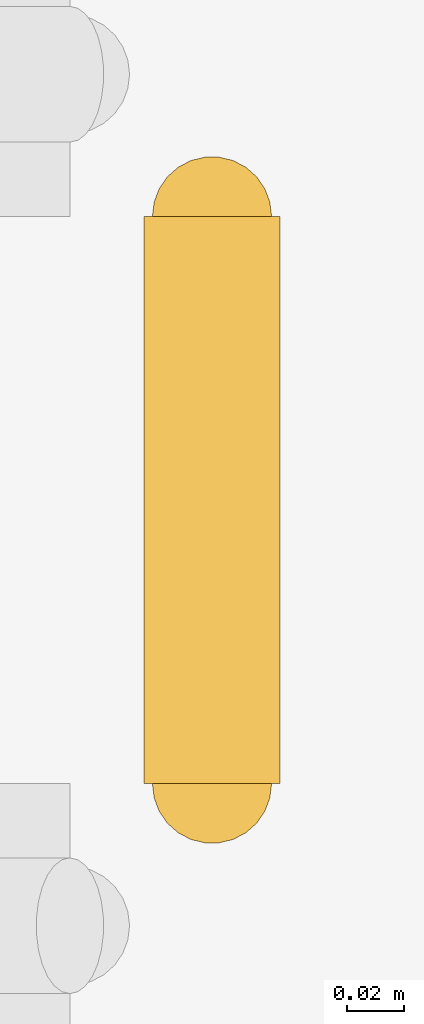
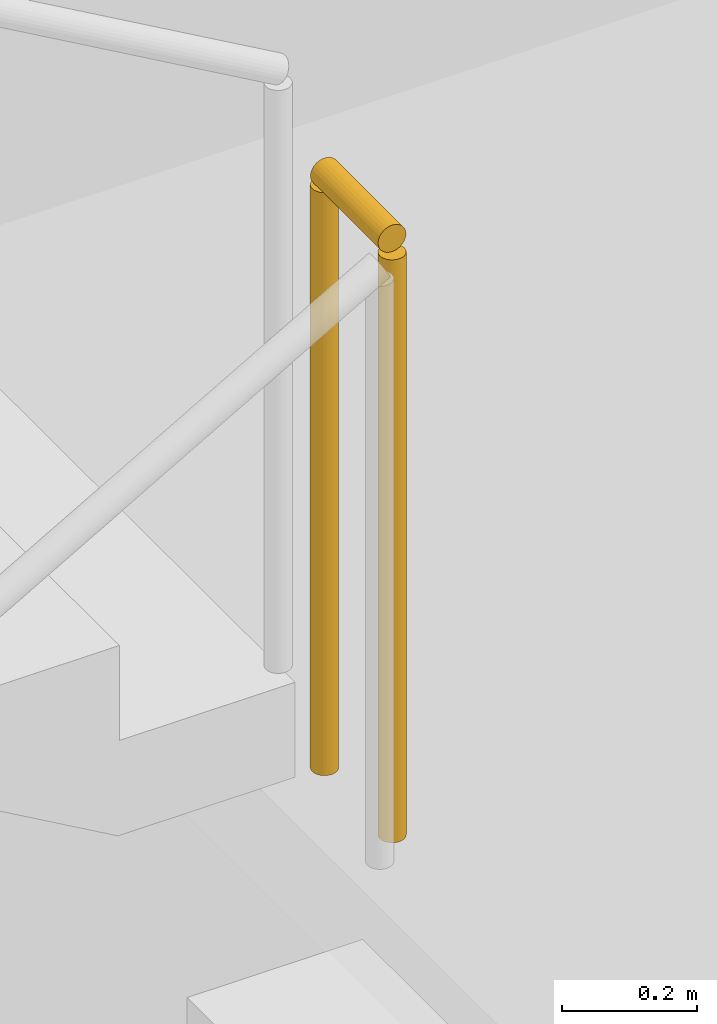
# One storey, part 68 of 72: 1 railing.
"""IFC4 building model written with IfcOpenShell, lengths in metres."""

import ifcopenshell
import ifcopenshell.guid

model = None  # the IFC model being written
_history = None  # IfcOwnerHistory: only IFC2X3 demands one
_inside = {}  # id of a spatial element -> (the spatial element, [elements in it])
_under = {}  # id of a project, library or spatial element -> (it, [spatial elements below it])
_declared = {}  # id of a project -> (the project, [libraries it declares])
_typed = {}  # id of a type object -> (the type object, [elements of that type])
_made_of = {}  # id of a material, layer set ... -> (it, [elements and type objects made of it])


def new_model(schema):
    """Start an empty IFC model of exactly this schema.

    Asked for "IFC4X3", IfcOpenShell would pick the latest addendum, in which some entities
    have other attributes; the version numbers below select the first issue.
    IFC2X3 requires an IfcOwnerHistory on every rooted entity: one is made here for all.
    """
    global model, _history
    if schema == "IFC4X3":
        model = ifcopenshell.file(schema_version=(4, 3, 0, 0))
    else:
        model = ifcopenshell.file(schema=schema)
    _inside.clear()
    _under.clear()
    _declared.clear()
    _typed.clear()
    _made_of.clear()
    _history = None
    if model.schema == "IFC2X3":
        org = make("IfcOrganization", Name="unknown")
        user = make(
            "IfcPersonAndOrganization",
            ThePerson=make("IfcPerson", FamilyName="unknown"),
            TheOrganization=org,
        )
        app = make(
            "IfcApplication",
            ApplicationDeveloper=org,
            Version="unknown",
            ApplicationFullName="unknown",
            ApplicationIdentifier="unknown",
        )
        _history = make(
            "IfcOwnerHistory",
            OwningUser=user,
            OwningApplication=app,
            ChangeAction="ADDED",
            CreationDate=0,
        )
    return model


def make(cls, **values):
    """One entity of the class cls with the attributes given. An attribute that is None is left unset."""
    return model.create_entity(
        cls, **{name: value for name, value in values.items() if value is not None}
    )


def rooted(cls, **values):
    """An entity with a GlobalId (a new one), such as an element, a storey or a relation."""
    return make(cls, GlobalId=ifcopenshell.guid.new(), OwnerHistory=_history, **values)


def si_unit(unit_type, name, prefix=None):
    """IfcSIUnit, for example si_unit("LENGTHUNIT", "METRE", prefix="MILLI")."""
    return make("IfcSIUnit", UnitType=unit_type, Prefix=prefix, Name=name)


def assignment(units):
    """IfcUnitAssignment: the units of a project."""
    return None if units is None else make("IfcUnitAssignment", Units=units)


def point(xyz):
    """IfcCartesianPoint."""
    return None if xyz is None else make("IfcCartesianPoint", Coordinates=xyz)


def direction(xyz):
    """IfcDirection."""
    return None if xyz is None else make("IfcDirection", DirectionRatios=xyz)


def frame(location, z_axis=None, x_axis=None):
    """IfcAxis2Placement3D, a coordinate frame: its origin and axes. An axis left out is left unset."""
    return make(
        "IfcAxis2Placement3D",
        Location=point(location),
        Axis=direction(z_axis),
        RefDirection=direction(x_axis),
    )


def frame_2d(location, x_axis=None):
    """IfcAxis2Placement2D, a coordinate frame in the plane: its origin and x axis."""
    return make(
        "IfcAxis2Placement2D", Location=point(location), RefDirection=direction(x_axis)
    )


def origin():
    """The frame at (0, 0, 0) with its axes left unset."""
    return frame((0.0, 0.0, 0.0))


def origin_2d():
    """The frame at (0, 0) in the plane with its x axis left unset."""
    return frame_2d((0.0, 0.0))


def place(relative_to, where):
    """IfcLocalPlacement: puts the frame where relative to a parent placement (None: the world)."""
    return make(
        "IfcLocalPlacement", PlacementRelTo=relative_to, RelativePlacement=where
    )


def context(
    kind, dimensions, precision=None, world=None, true_north=None, identifier=None
):
    """IfcGeometricRepresentationContext, for example the 3D "Model" context."""
    return make(
        "IfcGeometricRepresentationContext",
        ContextIdentifier=identifier,
        ContextType=kind,
        CoordinateSpaceDimension=dimensions,
        Precision=precision,
        WorldCoordinateSystem=world,
        TrueNorth=true_north,
    )


def subcontext(parent, identifier, kind, view, scale=None):
    """IfcGeometricRepresentationSubContext, for example "Body" below "Model"."""
    return make(
        "IfcGeometricRepresentationSubContext",
        ContextIdentifier=identifier,
        ContextType=kind,
        ParentContext=parent,
        TargetScale=scale,
        TargetView=view,
    )


def project(units=None, contexts=None):
    """IfcProject with its units and contexts."""
    return rooted(
        "IfcProject",
        Name="project",
        RepresentationContexts=contexts,
        UnitsInContext=assignment(units),
    )


def spatial(cls, under=None, at=None, **own):
    """A site, building, storey or space (cls), placed at a placement, below another one or the project."""
    s = rooted(cls, ObjectPlacement=at, **own)
    if under is not None:
        _under.setdefault(under.id(), (under, []))[1].append(s)
    return s


def profile(cls, at=None, kind="AREA", **sizes):
    """A parametric profile (cls). Its sizes go by their IFC names, for example OverallWidth=200.0."""
    return make(cls, ProfileType=kind, Position=at, **sizes)


def circle(**sizes):
    """IfcCircleProfileDef."""
    return profile("IfcCircleProfileDef", **sizes)


def extrude(swept, where, along, depth):
    """IfcExtrudedAreaSolid: the profile swept, set in the frame where, extruded along a direction by depth."""
    return make(
        "IfcExtrudedAreaSolid",
        SweptArea=swept,
        Position=where,
        ExtrudedDirection=direction(along),
        Depth=depth,
    )


def shape(context_of_items, identifier, shape_type, items):
    """IfcShapeRepresentation: the items that make up one representation, for example the "Body"."""
    return make(
        "IfcShapeRepresentation",
        ContextOfItems=context_of_items,
        RepresentationIdentifier=identifier,
        RepresentationType=shape_type,
        Items=items,
    )


def material(Name=None, Category=None):
    """IfcMaterial."""
    return make("IfcMaterial", Name=Name, Category=Category)


def made_of(thing, what):
    """Note that an element or type object is made of a material, layer set ...; save() writes the relation."""
    if what is not None:
        _made_of.setdefault(what.id(), (what, []))[1].append(thing)
    return thing


def type_object(cls, material=None, **own):
    """A type object (cls), such as IfcWallType, which elements share."""
    return made_of(rooted(cls, **own), material)


def element(
    cls,
    number,
    at=None,
    inside=None,
    cuts=None,
    type_object=None,
    material=None,
    context=None,
    identifier="Body",
    shape_type=None,
    held_by="IfcProductDefinitionShape",
    body=None,
    shapes=None,
    **own,
):
    """One element of the class cls, such as IfcWall. Its Tag is "e" and its number.

    at: its placement. inside: the storey or other place that contains it. cuts: it is an
    opening in that element (IfcRelVoidsElement). A single representation is given by context,
    identifier, shape_type and body (its items); several are given by shapes. held_by: the class
    of the entity that holds the representations. save() writes the other relations.
    """
    e = rooted(cls, Tag="e%d" % number, ObjectPlacement=at, **own)
    if body is not None:
        shapes = [shape(context, identifier, shape_type, body)]
    if shapes is not None:
        e.Representation = make(held_by, Representations=shapes)
    if inside is not None:
        _inside.setdefault(inside.id(), (inside, []))[1].append(e)
    if cuts is not None:
        rooted(
            "IfcRelVoidsElement", RelatingBuildingElement=cuts, RelatedOpeningElement=e
        )
    if type_object is not None:
        _typed.setdefault(type_object.id(), (type_object, []))[1].append(e)
    return made_of(e, material)


def aggregate(whole, parts):
    """IfcRelAggregates: a whole, such as a stair, and the parts it consists of."""
    return rooted("IfcRelAggregates", RelatingObject=whole, RelatedObjects=parts)


def save(model, path):
    """Write the relations noted so far, then the file.

    IfcRelAggregates (storeys below a building ...), IfcRelContainedInSpatialStructure (elements
    in a storey), IfcRelDefinesByType, IfcRelAssociatesMaterial and IfcRelDeclares: one each for
    every whole, place, type object, material and project.
    """
    for whole, parts in _under.values():
        aggregate(whole, parts)
    for where, things in _inside.values():
        rooted(
            "IfcRelContainedInSpatialStructure",
            RelatedElements=things,
            RelatingStructure=where,
        )
    for kind, things in _typed.values():
        rooted("IfcRelDefinesByType", RelatedObjects=things, RelatingType=kind)
    for what, things in _made_of.values():
        rooted("IfcRelAssociatesMaterial", RelatedObjects=things, RelatingMaterial=what)
    for by, libraries in _declared.values():
        rooted("IfcRelDeclares", RelatingContext=by, RelatedDefinitions=libraries)
    model.write(path)


model = new_model("IFC4")

# Units and contexts
model_context = context("Model", 3, precision=1e-05, world=origin(), true_north=direction((0.0, 1.0)))
body_context = subcontext(model_context, "Body", "Model", "MODEL_VIEW")
ifc_project = project(units=[si_unit("LENGTHUNIT", "METRE"), si_unit("AREAUNIT", "SQUARE_METRE"), si_unit("VOLUMEUNIT", "CUBIC_METRE"), si_unit("PLANEANGLEUNIT", "RADIAN"), si_unit("MASSUNIT", "GRAM", prefix="KILO")], contexts=[model_context])

# Site, building, storey
site_placement = place(None, origin())
site = spatial("IfcSite", under=ifc_project, at=site_placement, CompositionType="ELEMENT")
building_placement = place(site_placement, origin())
building = spatial("IfcBuilding", under=site, at=building_placement, Name="Korsvaeld Concert Hall", CompositionType="ELEMENT")
storey_placement = place(building_placement, origin())
storey = spatial("IfcBuildingStorey", under=building, at=storey_placement, Name="L00", CompositionType="ELEMENT", Elevation=0.0)

# Railing
ifc_material = material(Name="Powder-coated steel and bronze stair guardrail", Category="steel")
railing_type = type_object("IfcRailingType", Name="RL-STAIR-GUARD-120", PredefinedType="GUARDRAIL", material=ifc_material)
railing_placement = place(storey_placement, frame((64.77001953125, 92.02001953125, 2.39990234375)))
element("IfcRailing", 1, at=railing_placement, inside=storey, type_object=railing_type, Name="L00 ST-K5 stair guard 2", PredefinedType="GUARDRAIL", context=body_context, shape_type="SweptSolid", body=[
    extrude(circle(Radius=0.02392578125, at=origin_2d()), frame((0.0, 0.0, 1.076171875), z_axis=(0.0, 1.0, 0.0), x_axis=(-1.0, 0.0, 0.0)), (0.0, 0.0, 1.0), 0.199951171875),
    extrude(circle(Radius=0.02099609375, at=origin_2d()), origin(), (0.0, 0.0, 1.0), 1.052001953125),
    extrude(circle(Radius=0.02099609375, at=origin_2d()), frame((0.0, 0.199951171875, 0.0)), (0.0, 0.0, 1.0), 1.052001953125),
])

save(model, "model.ifc")
